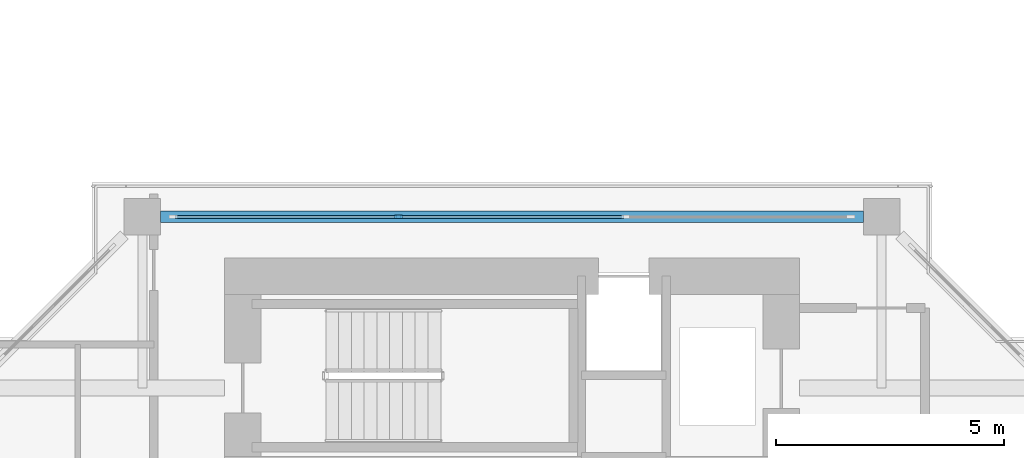
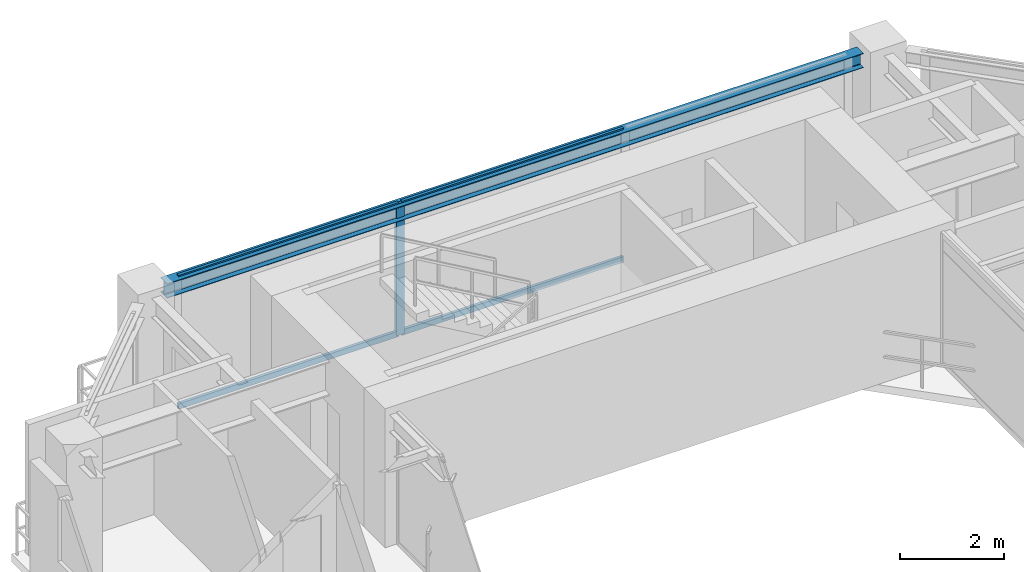
# One storey, part 9 of 23: 5 members, 1 beam, 1 element without a shape of its own.
"""IFC4 building model written with IfcOpenShell, lengths in metres."""

from ifc_helpers import new_model, si_unit, direction, frame, origin, origin_2d, place, context, subcontext, project, spatial, rectangle, i_section, extrude, source, transform, mapped, material, layer, layer_set, material_profile, profile_set, type_object, element, aggregate, save


model = new_model("IFC4")

# Units and contexts
model_context = context("Model", 3, precision=1e-05, world=origin(), true_north=direction((0.0, 1.0)))
body_context = subcontext(model_context, "Body", "Model", "MODEL_VIEW")
ifc_project = project(units=[si_unit("LENGTHUNIT", "METRE"), si_unit("AREAUNIT", "SQUARE_METRE"), si_unit("VOLUMEUNIT", "CUBIC_METRE"), si_unit("PLANEANGLEUNIT", "RADIAN"), si_unit("MASSUNIT", "GRAM", prefix="KILO"), si_unit("THERMODYNAMICTEMPERATUREUNIT", "KELVIN"), si_unit("POWERUNIT", "WATT")], contexts=[model_context])

# Site, building, storey
site_placement = place(None, origin())
site = spatial("IfcSite", under=ifc_project, at=site_placement, CompositionType="ELEMENT")
building_placement = place(site_placement, origin())
building = spatial("IfcBuilding", under=site, at=building_placement, Name="Qiaomeng Ring Towers", CompositionType="ELEMENT")
storey_placement = place(building_placement, frame((0.0, 0.0, 86.0)))
storey = spatial("IfcBuildingStorey", under=building, at=storey_placement, Name="L24", CompositionType="ELEMENT", Elevation=86.0)

# Beam
ifc_material_1 = material(Name="Steel Q355B", Category="steel")
ifc_material_profile_1 = material_profile(ifc_material_1, i_section(OverallWidth=0.25, OverallDepth=0.340087890625, WebThickness=0.009033203125, FlangeThickness=0.013916015625, FilletRadius=0.02001953125, at=origin_2d()), Name="HM 340x250x9x14")
ifc_profile_set_1 = profile_set([ifc_material_profile_1], Name="Steel Q355B")
beam_type = type_object("IfcBeamType", Name="STR-BM-HM340", PredefinedType="SPANDREL", material=ifc_profile_set_1)
shared_shape_1 = source(origin(), body_context, "Body", "SweptSolid", [
    extrude(i_section(OverallWidth=0.25, OverallDepth=0.340087890625, WebThickness=0.009033203125, FlangeThickness=0.013916015625, FilletRadius=0.02001953125, at=origin_2d()), origin(), (0.0, 0.0, 1.0), 15.40185546875),
])
beam_placement = place(storey_placement, frame((68.200927734375, 34.85009765625, 2.89990234375), z_axis=(-1.0, 0.0, 0.0), x_axis=(0.0, -1.0, 0.0)))
element("IfcBeam", 1, at=beam_placement, inside=storey, type_object=beam_type, Name="L24 beam STR-SP-L24-T2-N2-N1", PredefinedType="SPANDREL", context=body_context, shape_type="MappedRepresentation", body=[
    mapped(shared_shape_1, transform((0.0, 0.0, 0.0), x_axis=(1.0, 0.0, 0.0), y_axis=(0.0, 1.0, 0.0), z_axis=(0.0, 0.0, 1.0), scale=1.0)),
])

# Curtain wall, members
ifc_material_2 = material(Name="Fluorocarbon dark-grey aluminium", Category="aluminium")
ifc_layer = layer(ifc_material_2, 0.14990234375, Name="Fluorocarbon dark-grey aluminium")
ifc_layer_set = layer_set([ifc_layer], Name="Fluorocarbon dark-grey aluminium")
curtain_wall_type = type_object("IfcCurtainWallType", Name="ARC-CW-5", PredefinedType="NOTDEFINED", material=ifc_layer_set)
curtain_wall_placement = place(storey_placement, origin())
curtain_wall = element("IfcCurtainWall", 2, at=curtain_wall_placement, inside=storey, type_object=curtain_wall_type, Name="L24 Curtain Wall CW5", PredefinedType="NOTDEFINED")
ifc_material_profile_2 = material_profile(ifc_material_2, rectangle(XDim=0.070068359375, YDim=0.179931640625, at=origin_2d()), Name="ALU MULL 70x180")
ifc_profile_set_2 = profile_set([ifc_material_profile_2], Name="Fluorocarbon dark-grey aluminium")
member_type_1 = type_object("IfcMemberType", Name="ARC-CWM-160", PredefinedType="MULLION", material=ifc_profile_set_2)
shared_shape_2 = source(origin(), body_context, "Body", "SweptSolid", [
    extrude(rectangle(XDim=0.070068359375, YDim=0.179931640625, at=origin_2d()), origin(), (0.0, 0.0, 1.0), 3.070068359375),
])
member_1_placement = place(storey_placement, frame((58.013427734375, 34.85009765625, 0.0), z_axis=(0.0, 0.0, 1.0), x_axis=(0.0, 1.0, 0.0)))
member_1 = element("IfcMember", 3, at=member_1_placement, type_object=member_type_1, Name="CW5 mullion 2", PredefinedType="MULLION", context=body_context, shape_type="MappedRepresentation", body=[
    mapped(shared_shape_2, transform((0.0, 0.0, 0.0), x_axis=(1.0, 0.0, 0.0), y_axis=(0.0, 1.0, 0.0), z_axis=(0.0, 0.0, 1.0), scale=1.0)),
])
ifc_material_profile_3 = material_profile(ifc_material_2, rectangle(XDim=0.06494140625, YDim=0.1298828125, at=origin_2d()), Name="ALU TRAN 65x130")
ifc_profile_set_3 = profile_set([ifc_material_profile_3], Name="Fluorocarbon dark-grey aluminium")
member_type_2 = type_object("IfcMemberType", Name="ARC-CWT-120", PredefinedType="USERDEFINED", material=ifc_profile_set_3)
shared_shape_3 = source(origin(), body_context, "Body", "SweptSolid", [
    extrude(rectangle(XDim=0.06494140625, YDim=0.1298828125, at=origin_2d()), origin(), (0.0, 0.0, 1.0), 4.8681640625),
])
member_2_placement = place(storey_placement, frame((53.110107421875, 34.85009765625, 0.032470703125), z_axis=(1.0, 0.0, 0.0), x_axis=(0.0, 1.0, 0.0)))
member_2 = element("IfcMember", 4, at=member_2_placement, type_object=member_type_2, Name="CW5 transom 1.1", ObjectType="TRANSOM", PredefinedType="USERDEFINED", context=body_context, shape_type="MappedRepresentation", body=[
    mapped(shared_shape_3, transform((0.0, 0.0, 0.0), x_axis=(1.0, 0.0, 0.0), y_axis=(0.0, 1.0, 0.0), z_axis=(0.0, 0.0, 1.0), scale=1.0)),
])
member_3_placement = place(storey_placement, frame((53.110107421875, 34.85009765625, 3.03759765625), z_axis=(1.0, 0.0, 0.0), x_axis=(0.0, 1.0, 0.0)))
member_3 = element("IfcMember", 5, at=member_3_placement, type_object=member_type_2, Name="CW5 transom 1.2", ObjectType="TRANSOM", PredefinedType="USERDEFINED", context=body_context, shape_type="MappedRepresentation", body=[
    mapped(shared_shape_3, transform((0.0, 0.0, 0.0), x_axis=(1.0, 0.0, 0.0), y_axis=(0.0, 1.0, 0.0), z_axis=(0.0, 0.0, 1.0), scale=1.0)),
])
shared_shape_4 = source(origin(), body_context, "Body", "SweptSolid", [
    extrude(rectangle(XDim=0.06494140625, YDim=0.1298828125, at=origin_2d()), origin(), (0.0, 0.0, 1.0), 4.9033203125),
])
member_4_placement = place(storey_placement, frame((58.04833984375, 34.85009765625, 0.032470703125), z_axis=(1.0, 0.0, 0.0), x_axis=(0.0, 1.0, 0.0)))
member_4 = element("IfcMember", 6, at=member_4_placement, type_object=member_type_2, Name="CW5 transom 2.1", ObjectType="TRANSOM", PredefinedType="USERDEFINED", context=body_context, shape_type="MappedRepresentation", body=[
    mapped(shared_shape_4, transform((0.0, 0.0, 0.0), x_axis=(1.0, 0.0, 0.0), y_axis=(0.0, 1.0, 0.0), z_axis=(0.0, 0.0, 1.0), scale=1.0)),
])
member_5_placement = place(storey_placement, frame((58.04833984375, 34.85009765625, 3.03759765625), z_axis=(1.0, 0.0, 0.0), x_axis=(0.0, 1.0, 0.0)))
member_5 = element("IfcMember", 7, at=member_5_placement, type_object=member_type_2, Name="CW5 transom 2.2", ObjectType="TRANSOM", PredefinedType="USERDEFINED", context=body_context, shape_type="MappedRepresentation", body=[
    mapped(shared_shape_4, transform((0.0, 0.0, 0.0), x_axis=(1.0, 0.0, 0.0), y_axis=(0.0, 1.0, 0.0), z_axis=(0.0, 0.0, 1.0), scale=1.0)),
])
aggregate(curtain_wall, [member_1, member_2, member_3, member_4, member_5])

save(model, "model.ifc")
